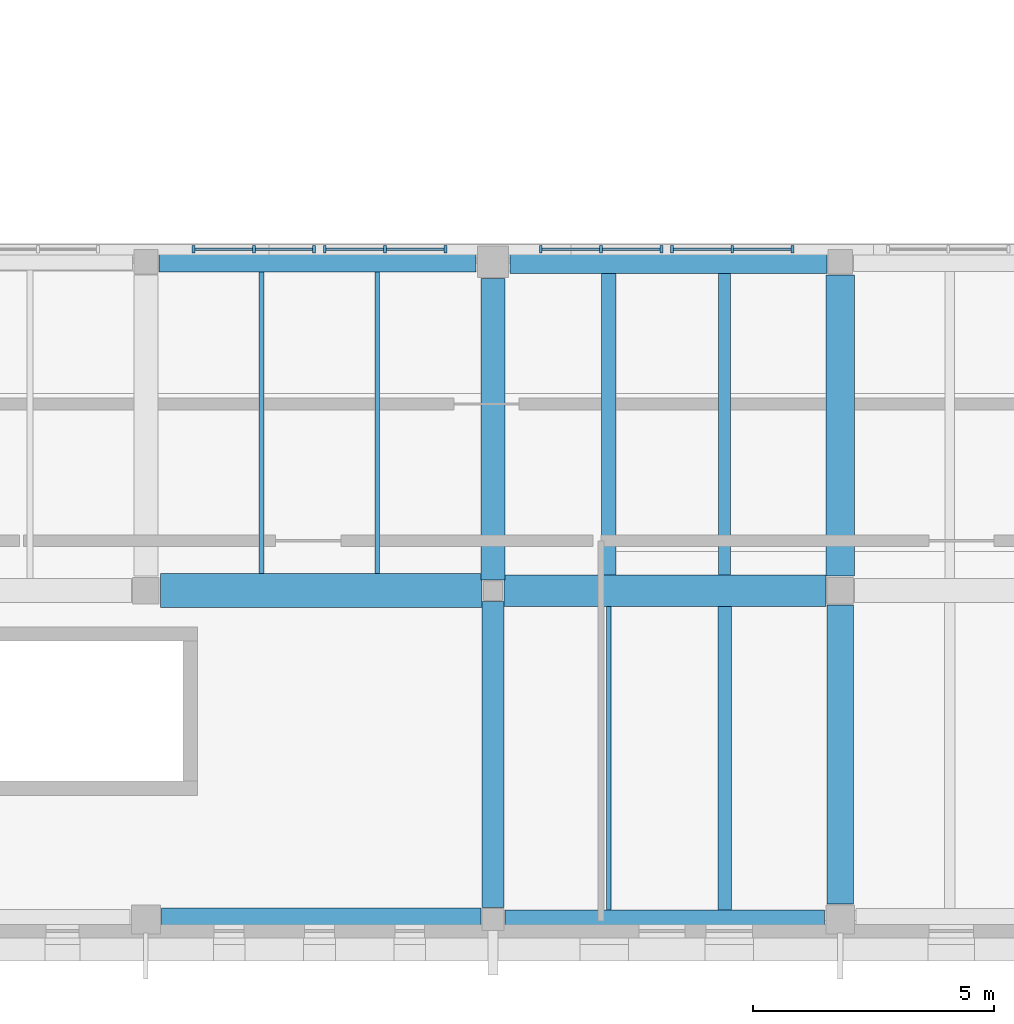
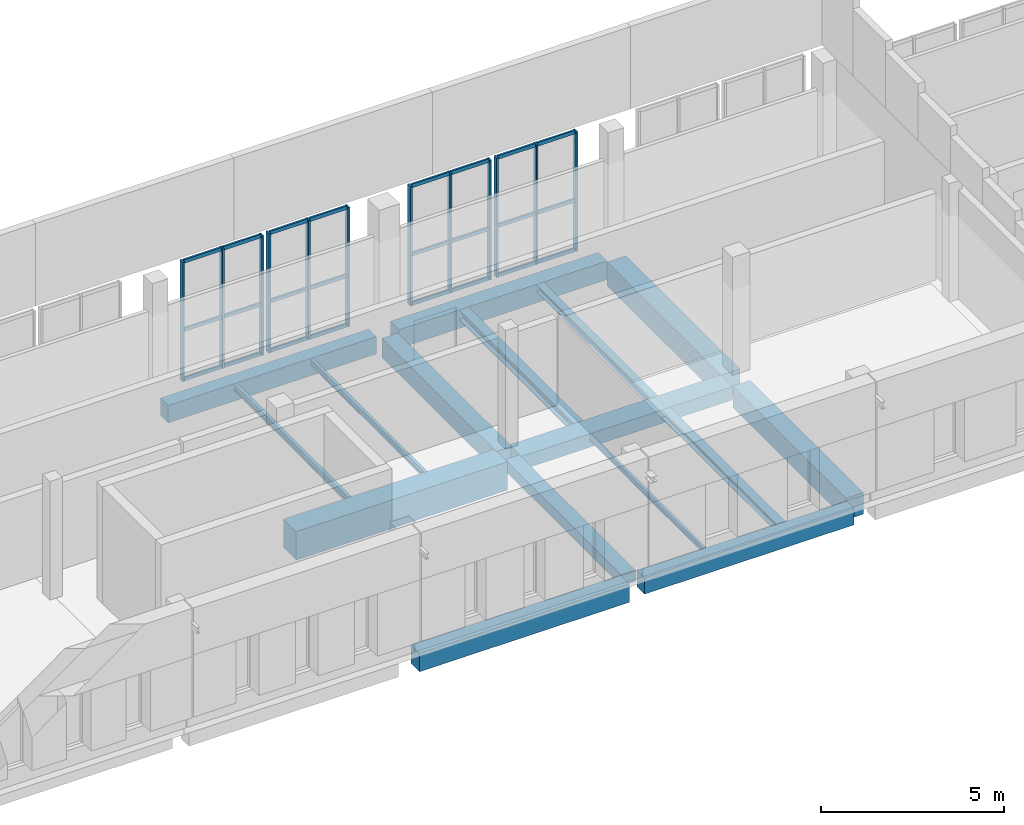
# One storey, part 16 of 76: 36 members, 16 beams, 4 elements without a shape of their own.
"""IFC4 building model written with IfcOpenShell, lengths in metres."""

from ifc_helpers import new_model, si_unit, direction, frame, origin, origin_2d, place, context, subcontext, project, spatial, rectangle, i_section, extrude, material, layer, layer_set, material_profile, profile_set, type_object, element, aggregate, save


model = new_model("IFC4")

# Units and contexts
model_context = context("Model", 3, precision=1e-05, world=origin(), true_north=direction((0.0, 1.0)))
body_context = subcontext(model_context, "Body", "Model", "MODEL_VIEW")
ifc_project = project(units=[si_unit("LENGTHUNIT", "METRE"), si_unit("AREAUNIT", "SQUARE_METRE"), si_unit("VOLUMEUNIT", "CUBIC_METRE"), si_unit("PLANEANGLEUNIT", "RADIAN"), si_unit("MASSUNIT", "GRAM", prefix="KILO")], contexts=[model_context])

# Site, building, storey
site_placement = place(None, origin())
site = spatial("IfcSite", under=ifc_project, at=site_placement, CompositionType="ELEMENT")
building_placement = place(site_placement, origin())
building = spatial("IfcBuilding", under=site, at=building_placement, Name="Vardoun Plaza Health Centre", CompositionType="ELEMENT")
storey_placement = place(building_placement, frame((0.0, 0.0, 4.5)))
storey = spatial("IfcBuildingStorey", under=building, at=storey_placement, Name="L01", CompositionType="ELEMENT", Elevation=4.5)

# Beams
ifc_material_1 = material(Name="Concrete C35/45", Category="concrete")
ifc_material_profile_1 = material_profile(ifc_material_1, rectangle(XDim=0.39990234375, YDim=0.550048828125, at=origin_2d()), Name="RC-BM 400x550")
ifc_profile_set_1 = profile_set([ifc_material_profile_1], Name="Concrete C35/45")
beam_type_1 = type_object("IfcBeamType", Name="B-09", PredefinedType="SPANDREL", material=ifc_profile_set_1)
beam_1_placement = place(storey_placement, frame((91.330078125, 4.8798828125, -0.590087890625), z_axis=(1.0, 0.0, 0.0), x_axis=(0.0, 1.0, 0.0)))
element("IfcBeam", 1, at=beam_1_placement, inside=storey, type_object=beam_type_1, Name="V4 L01 Beam B-V4-L01-X19", PredefinedType="SPANDREL", context=body_context, shape_type="SweptSolid", body=[
    extrude(rectangle(XDim=0.39990234375, YDim=0.550048828125, at=origin_2d()), origin(), (0.0, 0.0, 1.0), 6.625),
])
ifc_material_2 = material(Name="Concrete C35/45", Category="concrete")
ifc_material_profile_2 = material_profile(ifc_material_2, rectangle(XDim=0.419921875, YDim=0.580078125, at=origin_2d()), Name="RC-BM 420x580")
ifc_profile_set_2 = profile_set([ifc_material_profile_2], Name="Concrete C35/45")
beam_type_2 = type_object("IfcBeamType", Name="B-10", PredefinedType="SPANDREL", material=ifc_profile_set_2)
beam_2_placement = place(storey_placement, frame((84.155029296875, 18.52001953125, -0.60498046875), z_axis=(1.0, 0.0, 0.0), x_axis=(0.0, 1.0, 0.0)))
element("IfcBeam", 2, at=beam_2_placement, inside=storey, type_object=beam_type_2, Name="V4 L01 Beam B-V4-L01-X18", PredefinedType="SPANDREL", context=body_context, shape_type="SweptSolid", body=[
    extrude(rectangle(XDim=0.419921875, YDim=0.580078125, at=origin_2d()), origin(), (0.0, 0.0, 1.0), 6.574951171875),
])
ifc_material_3 = material(Name="Concrete C35/45", Category="concrete")
ifc_material_profile_3 = material_profile(ifc_material_3, rectangle(XDim=0.449951171875, YDim=0.3798828125, at=origin_2d()), Name="RC-BM 450x380")
ifc_profile_set_3 = profile_set([ifc_material_profile_3], Name="Concrete C35/45")
beam_type_3 = type_object("IfcBeamType", Name="B-01", PredefinedType="BEAM", material=ifc_profile_set_3)
beam_3_placement = place(storey_placement, frame((91.080078125, 5.1298828125, -0.5048828125), z_axis=(0.0, 1.0, 0.0), x_axis=(-1.0, 0.0, 0.0)))
element("IfcBeam", 3, at=beam_3_placement, inside=storey, type_object=beam_type_3, Name="V4 L01 Beam B-V4-L01-Y35", PredefinedType="BEAM", context=body_context, shape_type="SweptSolid", body=[
    extrude(rectangle(XDim=0.449951171875, YDim=0.3798828125, at=origin_2d()), origin(), (0.0, 0.0, 1.0), 6.34521484375),
])
ifc_material_4 = material(Name="Concrete C35/45", Category="concrete")
ifc_material_profile_4 = material_profile(ifc_material_4, rectangle(XDim=0.47998046875, YDim=0.6201171875, at=origin_2d()), Name="RC-BM 480x620")
ifc_profile_set_4 = profile_set([ifc_material_profile_4], Name="Concrete C35/45")
beam_type_4 = type_object("IfcBeamType", Name="B-12", PredefinedType="SPANDREL", material=ifc_profile_set_4)
beam_4_placement = place(storey_placement, frame((84.205078125, 4.8798828125, -0.625), z_axis=(1.0, 0.0, 0.0), x_axis=(0.0, 1.0, 0.0)))
element("IfcBeam", 4, at=beam_4_placement, inside=storey, type_object=beam_type_4, Name="V4 L01 Beam B-V4-L01-X16", PredefinedType="SPANDREL", context=body_context, shape_type="SweptSolid", body=[
    extrude(rectangle(XDim=0.47998046875, YDim=0.6201171875, at=origin_2d()), origin(), (0.0, 0.0, 1.0), 6.625),
])
beam_5_placement = place(storey_placement, frame((91.429931640625, 18.52001953125, -0.625), z_axis=(1.0, 0.0, 0.0), x_axis=(0.0, 1.0, 0.0)))
element("IfcBeam", 5, at=beam_5_placement, inside=storey, type_object=beam_type_4, Name="V4 L01 Beam B-V4-L01-X21", PredefinedType="SPANDREL", context=body_context, shape_type="SweptSolid", body=[
    extrude(rectangle(XDim=0.47998046875, YDim=0.6201171875, at=origin_2d()), origin(), (0.0, 0.0, 1.0), 6.574951171875),
])
ifc_material_5 = material(Name="Concrete C40/50", Category="concrete")
ifc_material_profile_5 = material_profile(ifc_material_5, rectangle(XDim=0.5, YDim=0.64990234375, at=origin_2d()), Name="RC-BM 500x650")
ifc_profile_set_5 = profile_set([ifc_material_profile_5], Name="Concrete C40/50")
beam_type_5 = type_object("IfcBeamType", Name="B-13", PredefinedType="BEAM", material=ifc_profile_set_5)
beam_6_placement = place(storey_placement, frame((91.080078125, 11.925048828125, -0.639892578125), z_axis=(0.0, 1.0, 0.0), x_axis=(-1.0, 0.0, 0.0)))
element("IfcBeam", 6, at=beam_6_placement, inside=storey, type_object=beam_type_5, Name="V4 L01 Beam B-V4-L01-Y36", PredefinedType="BEAM", context=body_context, shape_type="SweptSolid", body=[
    extrude(rectangle(XDim=0.5, YDim=0.64990234375, at=origin_2d()), origin(), (0.0, 0.0, 1.0), 6.244873046875),
])
ifc_material_6 = material(Name="Concrete C40/50", Category="concrete")
ifc_material_profile_6 = material_profile(ifc_material_6, rectangle(XDim=0.550048828125, YDim=0.719970703125, at=origin_2d()), Name="RC-BM 550x720")
ifc_profile_set_6 = profile_set([ifc_material_profile_6], Name="Concrete C40/50")
beam_type_6 = type_object("IfcBeamType", Name="B-14", PredefinedType="BEAM", material=ifc_profile_set_6)
beam_7_placement = place(storey_placement, frame((98.280029296875, 5.205078125, -0.675048828125), z_axis=(0.0, 1.0, 0.0), x_axis=(-1.0, 0.0, 0.0)))
element("IfcBeam", 7, at=beam_7_placement, inside=storey, type_object=beam_type_6, Name="V4 L01 Beam B-V4-L01-Y37", PredefinedType="BEAM", context=body_context, shape_type="SweptSolid", body=[
    extrude(rectangle(XDim=0.550048828125, YDim=0.719970703125, at=origin_2d()), origin(), (0.0, 0.0, 1.0), 6.19482421875),
])
ifc_material_7 = material(Name="Concrete C40/50", Category="concrete")
ifc_material_profile_7 = material_profile(ifc_material_7, rectangle(XDim=0.60009765625, YDim=0.800048828125, at=origin_2d()), Name="RC-BM 600x800")
ifc_profile_set_7 = profile_set([ifc_material_profile_7], Name="Concrete C40/50")
beam_type_7 = type_object("IfcBeamType", Name="B-15", PredefinedType="JOIST", material=ifc_profile_set_7)
beam_8_placement = place(storey_placement, frame((98.280029296875, 12.0, -0.715087890625), z_axis=(0.0, 1.0, 0.0), x_axis=(-1.0, 0.0, 0.0)))
element("IfcBeam", 8, at=beam_8_placement, inside=storey, type_object=beam_type_7, Name="V4 L01 Beam B-V4-L01-Y38", PredefinedType="JOIST", context=body_context, shape_type="SweptSolid", body=[
    extrude(rectangle(XDim=0.60009765625, YDim=0.800048828125, at=origin_2d()), origin(), (0.0, 0.0, 1.0), 6.2451171875),
])
ifc_material_8 = material(Name="Concrete C35/45", Category="concrete")
ifc_material_profile_8 = material_profile(ifc_material_8, rectangle(XDim=0.64990234375, YDim=0.449951171875, at=origin_2d()), Name="RC-BM 650x450")
ifc_profile_set_8 = profile_set([ifc_material_profile_8], Name="Concrete C35/45")
beam_type_8 = type_object("IfcBeamType", Name="B-05", PredefinedType="BEAM", material=ifc_profile_set_8)
beam_9_placement = place(storey_placement, frame((91.304931640625, 11.699951171875, -0.5400390625), z_axis=(1.0, 0.0, 0.0), x_axis=(0.0, 1.0, 0.0)))
element("IfcBeam", 9, at=beam_9_placement, inside=storey, type_object=beam_type_8, Name="V4 L01 Beam B-V4-L01-X20", PredefinedType="BEAM", context=body_context, shape_type="SweptSolid", body=[
    extrude(rectangle(XDim=0.64990234375, YDim=0.449951171875, at=origin_2d()), origin(), (0.0, 0.0, 1.0), 6.675048828125),
])
ifc_material_9 = material(Name="Concrete C40/50", Category="concrete")
ifc_material_profile_9 = material_profile(ifc_material_9, rectangle(XDim=0.699951171875, YDim=0.949951171875, at=origin_2d()), Name="RC-BM 700x950")
ifc_profile_set_9 = profile_set([ifc_material_profile_9], Name="Concrete C40/50")
beam_type_9 = type_object("IfcBeamType", Name="B-16", PredefinedType="LINTEL", material=ifc_profile_set_9)
beam_10_placement = place(storey_placement, frame((84.179931640625, 11.699951171875, -0.7900390625), z_axis=(1.0, 0.0, 0.0), x_axis=(0.0, 1.0, 0.0)))
element("IfcBeam", 10, at=beam_10_placement, inside=storey, type_object=beam_type_9, Name="V4 L01 Beam B-V4-L01-X17", PredefinedType="LINTEL", context=body_context, shape_type="SweptSolid", body=[
    extrude(rectangle(XDim=0.699951171875, YDim=0.949951171875, at=origin_2d()), origin(), (0.0, 0.0, 1.0), 6.675048828125),
])
ifc_material_10 = material(Name="Steel S355J2", Category="steel")
ifc_material_profile_10 = material_profile(ifc_material_10, i_section(OverallWidth=0.239990234375, OverallDepth=0.22998046875, WebThickness=0.007568359375, FlangeThickness=0.011962890625, FilletRadius=0.02099609375, at=origin_2d()), Name="HEA 240")
ifc_profile_set_10 = profile_set([ifc_material_profile_10], Name="Steel S355J2")
beam_type_10 = type_object("IfcBeamType", Name="SB-07", PredefinedType="BEAM", material=ifc_profile_set_10)
beam_11_placement = place(storey_placement, frame((95.880126953125, 12.02490234375, -0.429931640625), z_axis=(0.0, 1.0, 0.0), x_axis=(-1.0, 0.0, 0.0)))
element("IfcBeam", 11, at=beam_11_placement, inside=storey, type_object=beam_type_10, Name="V4 L01 Secondary Floor Beam SJ-V4-L01-20", PredefinedType="BEAM", context=body_context, shape_type="SweptSolid", body=[
    extrude(i_section(OverallWidth=0.239990234375, OverallDepth=0.22998046875, WebThickness=0.007568359375, FlangeThickness=0.011962890625, FilletRadius=0.02099609375, at=origin_2d()), origin(), (0.0, 0.0, 1.0), 6.255126953125),
])
ifc_material_11 = material(Name="Steel S355J2", Category="steel")
ifc_material_profile_11 = material_profile(ifc_material_11, i_section(OverallWidth=0.280029296875, OverallDepth=0.27001953125, WebThickness=0.008056640625, FlangeThickness=0.012939453125, FilletRadius=0.02392578125, at=origin_2d()), Name="HEA 280")
ifc_profile_set_11 = profile_set([ifc_material_profile_11], Name="Steel S355J2")
beam_type_11 = type_object("IfcBeamType", Name="SB-06", PredefinedType="BEAM", material=ifc_profile_set_11)
beam_12_placement = place(storey_placement, frame((95.880126953125, 5.080078125, -0.449951171875), z_axis=(0.0, 1.0, 0.0), x_axis=(-1.0, 0.0, 0.0)))
element("IfcBeam", 12, at=beam_12_placement, inside=storey, type_object=beam_type_11, Name="V4 L01 Secondary Floor Beam SJ-V4-L01-19", PredefinedType="BEAM", context=body_context, shape_type="SweptSolid", body=[
    extrude(i_section(OverallWidth=0.280029296875, OverallDepth=0.27001953125, WebThickness=0.008056640625, FlangeThickness=0.012939453125, FilletRadius=0.02392578125, at=origin_2d()), origin(), (0.0, 0.0, 1.0), 6.294921875),
])
ifc_material_12 = material(Name="Steel S355J2", Category="steel")
ifc_material_profile_12 = material_profile(ifc_material_12, i_section(OverallWidth=0.300048828125, OverallDepth=0.330078125, WebThickness=0.009521484375, FlangeThickness=0.0166015625, FilletRadius=0.027099609375, at=origin_2d()), Name="HEA 340")
ifc_profile_set_12 = profile_set([ifc_material_profile_12], Name="Steel S355J2")
beam_type_12 = type_object("IfcBeamType", Name="SB-04", PredefinedType="BEAM", material=ifc_profile_set_12)
beam_13_placement = place(storey_placement, frame((93.479736328125, 12.02490234375, -0.47998046875), z_axis=(0.0, 1.0, 0.0), x_axis=(-1.0, 0.0, 0.0)))
element("IfcBeam", 13, at=beam_13_placement, inside=storey, type_object=beam_type_12, Name="V4 L01 Secondary Floor Beam SJ-V4-L01-18", PredefinedType="BEAM", context=body_context, shape_type="SweptSolid", body=[
    extrude(i_section(OverallWidth=0.300048828125, OverallDepth=0.330078125, WebThickness=0.009521484375, FlangeThickness=0.0166015625, FilletRadius=0.027099609375, at=origin_2d()), origin(), (0.0, 0.0, 1.0), 6.255126953125),
])
ifc_material_13 = material(Name="Steel S355J2", Category="steel")
ifc_material_profile_13 = material_profile(ifc_material_13, i_section(OverallWidth=0.091064453125, OverallDepth=0.179931640625, WebThickness=0.00537109375, FlangeThickness=0.008056640625, FilletRadius=0.009033203125, at=origin_2d()), Name="IPE 180")
ifc_profile_set_13 = profile_set([ifc_material_profile_13], Name="Steel S355J2")
beam_type_13 = type_object("IfcBeamType", Name="SB-20", PredefinedType="SPANDREL", material=ifc_profile_set_13)
beam_14_placement = place(storey_placement, frame((93.479736328125, 5.080078125, -0.405029296875), z_axis=(0.0, 1.0, 0.0), x_axis=(-1.0, 0.0, 0.0)))
element("IfcBeam", 14, at=beam_14_placement, inside=storey, type_object=beam_type_13, Name="V4 L01 Secondary Floor Beam SJ-V4-L01-17", PredefinedType="SPANDREL", context=body_context, shape_type="SweptSolid", body=[
    extrude(i_section(OverallWidth=0.091064453125, OverallDepth=0.179931640625, WebThickness=0.00537109375, FlangeThickness=0.008056640625, FilletRadius=0.009033203125, at=origin_2d()), origin(), (0.0, 0.0, 1.0), 6.294921875),
])
ifc_material_14 = material(Name="Steel S355J2", Category="steel")
ifc_material_profile_14 = material_profile(ifc_material_14, i_section(OverallWidth=0.10009765625, OverallDepth=0.199951171875, WebThickness=0.005615234375, FlangeThickness=0.008544921875, FilletRadius=0.011962890625, at=origin_2d()), Name="IPE 200")
ifc_profile_set_14 = profile_set([ifc_material_profile_14], Name="Steel S355J2")
beam_type_14 = type_object("IfcBeamType", Name="SB-19", PredefinedType="SPANDREL", material=ifc_profile_set_14)
beam_15_placement = place(storey_placement, frame((88.68017578125, 12.050048828125, -0.4150390625), z_axis=(0.0, 1.0, 0.0), x_axis=(-1.0, 0.0, 0.0)))
element("IfcBeam", 15, at=beam_15_placement, inside=storey, type_object=beam_type_14, Name="V4 L01 Secondary Floor Beam SJ-V4-L01-16", PredefinedType="SPANDREL", context=body_context, shape_type="SweptSolid", body=[
    extrude(i_section(OverallWidth=0.10009765625, OverallDepth=0.199951171875, WebThickness=0.005615234375, FlangeThickness=0.008544921875, FilletRadius=0.011962890625, at=origin_2d()), origin(), (0.0, 0.0, 1.0), 6.260009765625),
])
ifc_material_15 = material(Name="Steel S355J2", Category="steel")
ifc_material_profile_15 = material_profile(ifc_material_15, i_section(OverallWidth=0.110107421875, OverallDepth=0.219970703125, WebThickness=0.005859375, FlangeThickness=0.00927734375, FilletRadius=0.011962890625, at=origin_2d()), Name="IPE 220")
ifc_profile_set_15 = profile_set([ifc_material_profile_15], Name="Steel S355J2")
beam_type_15 = type_object("IfcBeamType", Name="SB-18", PredefinedType="JOIST", material=ifc_profile_set_15)
beam_16_placement = place(storey_placement, frame((86.27978515625, 12.050048828125, -0.425048828125), z_axis=(0.0, 1.0, 0.0), x_axis=(-1.0, 0.0, 0.0)))
element("IfcBeam", 16, at=beam_16_placement, inside=storey, type_object=beam_type_15, Name="V4 L01 Secondary Floor Beam SJ-V4-L01-15", PredefinedType="JOIST", context=body_context, shape_type="SweptSolid", body=[
    extrude(i_section(OverallWidth=0.110107421875, OverallDepth=0.219970703125, WebThickness=0.005859375, FlangeThickness=0.00927734375, FilletRadius=0.011962890625, at=origin_2d()), origin(), (0.0, 0.0, 1.0), 6.260009765625),
])

# Curtain wall, members
ifc_material_16 = material(Name="Aluminium Alloy EN AW-6063-T6 and Low-E Glass", Category="aluminium")
ifc_layer = layer(ifc_material_16, 0.14990234375)
ifc_layer_set = layer_set([ifc_layer], Name="Aluminium Alloy EN AW-6063-T6 and Low-E Glass")
curtain_wall_type = type_object("IfcCurtainWallType", Name="CW-03", PredefinedType="NOTDEFINED", material=ifc_layer_set)
curtain_wall_1_placement = place(storey_placement, origin())
curtain_wall_1 = element("IfcCurtainWall", 17, at=curtain_wall_1_placement, inside=storey, type_object=curtain_wall_type, Name="Curtain Wall CW-V4-127", PredefinedType="NOTDEFINED")
ifc_material_17 = material(Name="Aluminium Alloy EN AW-6063-T6", Category="aluminium")
ifc_material_profile_16 = material_profile(ifc_material_17, rectangle(XDim=0.159912109375, YDim=0.06005859375, at=origin_2d()), Name="CWM 60x160")
ifc_profile_set_16 = profile_set([ifc_material_profile_16], Name="Aluminium Alloy EN AW-6063-T6")
member_type_1 = type_object("IfcMemberType", Name="CW-M1", PredefinedType="MULLION", material=ifc_profile_set_16)
member_1_placement = place(storey_placement, frame((84.8701171875, 18.780029296875, 0.0), z_axis=(0.0, 0.0, 1.0), x_axis=(0.0, 1.0, 0.0)))
member_1 = element("IfcMember", 18, at=member_1_placement, type_object=member_type_1, Name="CW-V4-127 mullion 1", PredefinedType="MULLION", context=body_context, shape_type="SweptSolid", body=[
    extrude(rectangle(XDim=0.159912109375, YDim=0.06005859375, at=origin_2d()), origin(), (0.0, 0.0, 1.0), 3.9951171875),
])
member_2_placement = place(storey_placement, frame((86.1201171875, 18.780029296875, 0.0), z_axis=(0.0, 0.0, 1.0), x_axis=(0.0, 1.0, 0.0)))
member_2 = element("IfcMember", 19, at=member_2_placement, type_object=member_type_1, Name="CW-V4-127 mullion 2", PredefinedType="MULLION", context=body_context, shape_type="SweptSolid", body=[
    extrude(rectangle(XDim=0.159912109375, YDim=0.06005859375, at=origin_2d()), origin(), (0.0, 0.0, 1.0), 3.9951171875),
])
member_3_placement = place(storey_placement, frame((87.3701171875, 18.780029296875, 0.0), z_axis=(0.0, 0.0, 1.0), x_axis=(0.0, 1.0, 0.0)))
member_3 = element("IfcMember", 20, at=member_3_placement, type_object=member_type_1, Name="CW-V4-127 mullion 3", PredefinedType="MULLION", context=body_context, shape_type="SweptSolid", body=[
    extrude(rectangle(XDim=0.159912109375, YDim=0.06005859375, at=origin_2d()), origin(), (0.0, 0.0, 1.0), 3.9951171875),
])

curtain_wall_2_placement = place(storey_placement, origin())
curtain_wall_2 = element("IfcCurtainWall", 21, at=curtain_wall_2_placement, inside=storey, type_object=curtain_wall_type, Name="Curtain Wall CW-V4-128", PredefinedType="NOTDEFINED")
member_4_placement = place(storey_placement, frame((87.590087890625, 18.780029296875, 0.0), z_axis=(0.0, 0.0, 1.0), x_axis=(0.0, 1.0, 0.0)))
member_4 = element("IfcMember", 22, at=member_4_placement, type_object=member_type_1, Name="CW-V4-128 mullion 1", PredefinedType="MULLION", context=body_context, shape_type="SweptSolid", body=[
    extrude(rectangle(XDim=0.159912109375, YDim=0.06005859375, at=origin_2d()), origin(), (0.0, 0.0, 1.0), 3.9951171875),
])
member_5_placement = place(storey_placement, frame((88.840087890625, 18.780029296875, 0.0), z_axis=(0.0, 0.0, 1.0), x_axis=(0.0, 1.0, 0.0)))
member_5 = element("IfcMember", 23, at=member_5_placement, type_object=member_type_1, Name="CW-V4-128 mullion 2", PredefinedType="MULLION", context=body_context, shape_type="SweptSolid", body=[
    extrude(rectangle(XDim=0.159912109375, YDim=0.06005859375, at=origin_2d()), origin(), (0.0, 0.0, 1.0), 3.9951171875),
])
member_6_placement = place(storey_placement, frame((90.090087890625, 18.780029296875, 0.0), z_axis=(0.0, 0.0, 1.0), x_axis=(0.0, 1.0, 0.0)))
member_6 = element("IfcMember", 24, at=member_6_placement, type_object=member_type_1, Name="CW-V4-128 mullion 3", PredefinedType="MULLION", context=body_context, shape_type="SweptSolid", body=[
    extrude(rectangle(XDim=0.159912109375, YDim=0.06005859375, at=origin_2d()), origin(), (0.0, 0.0, 1.0), 3.9951171875),
])

curtain_wall_3_placement = place(storey_placement, origin())
curtain_wall_3 = element("IfcCurtainWall", 25, at=curtain_wall_3_placement, inside=storey, type_object=curtain_wall_type, Name="Curtain Wall CW-V4-129", PredefinedType="NOTDEFINED")
member_7_placement = place(storey_placement, frame((92.070068359375, 18.780029296875, 0.0), z_axis=(0.0, 0.0, 1.0), x_axis=(0.0, 1.0, 0.0)))
member_7 = element("IfcMember", 26, at=member_7_placement, type_object=member_type_1, Name="CW-V4-129 mullion 1", PredefinedType="MULLION", context=body_context, shape_type="SweptSolid", body=[
    extrude(rectangle(XDim=0.159912109375, YDim=0.06005859375, at=origin_2d()), origin(), (0.0, 0.0, 1.0), 3.9951171875),
])
member_8_placement = place(storey_placement, frame((93.320068359375, 18.780029296875, 0.0), z_axis=(0.0, 0.0, 1.0), x_axis=(0.0, 1.0, 0.0)))
member_8 = element("IfcMember", 27, at=member_8_placement, type_object=member_type_1, Name="CW-V4-129 mullion 2", PredefinedType="MULLION", context=body_context, shape_type="SweptSolid", body=[
    extrude(rectangle(XDim=0.159912109375, YDim=0.06005859375, at=origin_2d()), origin(), (0.0, 0.0, 1.0), 3.9951171875),
])
member_9_placement = place(storey_placement, frame((94.570068359375, 18.780029296875, 0.0), z_axis=(0.0, 0.0, 1.0), x_axis=(0.0, 1.0, 0.0)))
member_9 = element("IfcMember", 28, at=member_9_placement, type_object=member_type_1, Name="CW-V4-129 mullion 3", PredefinedType="MULLION", context=body_context, shape_type="SweptSolid", body=[
    extrude(rectangle(XDim=0.159912109375, YDim=0.06005859375, at=origin_2d()), origin(), (0.0, 0.0, 1.0), 3.9951171875),
])

curtain_wall_4_placement = place(storey_placement, origin())
curtain_wall_4 = element("IfcCurtainWall", 29, at=curtain_wall_4_placement, inside=storey, type_object=curtain_wall_type, Name="Curtain Wall CW-V4-130", PredefinedType="NOTDEFINED")
member_10_placement = place(storey_placement, frame((94.7900390625, 18.780029296875, 0.0), z_axis=(0.0, 0.0, 1.0), x_axis=(0.0, 1.0, 0.0)))
member_10 = element("IfcMember", 30, at=member_10_placement, type_object=member_type_1, Name="CW-V4-130 mullion 1", PredefinedType="MULLION", context=body_context, shape_type="SweptSolid", body=[
    extrude(rectangle(XDim=0.159912109375, YDim=0.06005859375, at=origin_2d()), origin(), (0.0, 0.0, 1.0), 3.9951171875),
])
member_11_placement = place(storey_placement, frame((96.0400390625, 18.780029296875, 0.0), z_axis=(0.0, 0.0, 1.0), x_axis=(0.0, 1.0, 0.0)))
member_11 = element("IfcMember", 31, at=member_11_placement, type_object=member_type_1, Name="CW-V4-130 mullion 2", PredefinedType="MULLION", context=body_context, shape_type="SweptSolid", body=[
    extrude(rectangle(XDim=0.159912109375, YDim=0.06005859375, at=origin_2d()), origin(), (0.0, 0.0, 1.0), 3.9951171875),
])
member_12_placement = place(storey_placement, frame((97.2900390625, 18.780029296875, 0.0), z_axis=(0.0, 0.0, 1.0), x_axis=(0.0, 1.0, 0.0)))
member_12 = element("IfcMember", 32, at=member_12_placement, type_object=member_type_1, Name="CW-V4-130 mullion 3", PredefinedType="MULLION", context=body_context, shape_type="SweptSolid", body=[
    extrude(rectangle(XDim=0.159912109375, YDim=0.06005859375, at=origin_2d()), origin(), (0.0, 0.0, 1.0), 3.9951171875),
])

# Member
ifc_material_18 = material(Name="Aluminium Alloy EN AW-6063-T6", Category="aluminium")
ifc_material_profile_17 = material_profile(ifc_material_18, rectangle(XDim=0.06005859375, YDim=0.1201171875, at=origin_2d()), Name="CWT 60x120")
ifc_profile_set_17 = profile_set([ifc_material_profile_17], Name="Aluminium Alloy EN AW-6063-T6")
member_type_2 = type_object("IfcMemberType", Name="CW-T1", PredefinedType="USERDEFINED", material=ifc_profile_set_17)
member_13_placement = place(storey_placement, frame((84.900146484375, 18.780029296875, 0.030029296875), z_axis=(1.0, 0.0, 0.0), x_axis=(0.0, 1.0, 0.0)))
member_13 = element("IfcMember", 33, at=member_13_placement, type_object=member_type_2, Name="CW-V4-127 transom 1.1", ObjectType="TRANSOM", PredefinedType="USERDEFINED", context=body_context, shape_type="SweptSolid", body=[
    extrude(rectangle(XDim=0.06005859375, YDim=0.1201171875, at=origin_2d()), origin(), (0.0, 0.0, 1.0), 1.18994140625),
])

member_14_placement = place(storey_placement, frame((84.900146484375, 18.780029296875, 1.677978515625), z_axis=(1.0, 0.0, 0.0), x_axis=(0.0, 1.0, 0.0)))
member_14 = element("IfcMember", 34, at=member_14_placement, type_object=member_type_2, Name="CW-V4-127 transom 1.2", ObjectType="TRANSOM", PredefinedType="USERDEFINED", context=body_context, shape_type="SweptSolid", body=[
    extrude(rectangle(XDim=0.06005859375, YDim=0.1201171875, at=origin_2d()), origin(), (0.0, 0.0, 1.0), 1.18994140625),
])

member_15_placement = place(storey_placement, frame((84.900146484375, 18.780029296875, 3.965087890625), z_axis=(1.0, 0.0, 0.0), x_axis=(0.0, 1.0, 0.0)))
member_15 = element("IfcMember", 35, at=member_15_placement, type_object=member_type_2, Name="CW-V4-127 transom 1.3", ObjectType="TRANSOM", PredefinedType="USERDEFINED", context=body_context, shape_type="SweptSolid", body=[
    extrude(rectangle(XDim=0.06005859375, YDim=0.1201171875, at=origin_2d()), origin(), (0.0, 0.0, 1.0), 1.18994140625),
])

member_16_placement = place(storey_placement, frame((86.150146484375, 18.780029296875, 0.030029296875), z_axis=(1.0, 0.0, 0.0), x_axis=(0.0, 1.0, 0.0)))
member_16 = element("IfcMember", 36, at=member_16_placement, type_object=member_type_2, Name="CW-V4-127 transom 2.1", ObjectType="TRANSOM", PredefinedType="USERDEFINED", context=body_context, shape_type="SweptSolid", body=[
    extrude(rectangle(XDim=0.06005859375, YDim=0.1201171875, at=origin_2d()), origin(), (0.0, 0.0, 1.0), 1.18994140625),
])

member_17_placement = place(storey_placement, frame((86.150146484375, 18.780029296875, 1.677978515625), z_axis=(1.0, 0.0, 0.0), x_axis=(0.0, 1.0, 0.0)))
member_17 = element("IfcMember", 37, at=member_17_placement, type_object=member_type_2, Name="CW-V4-127 transom 2.2", ObjectType="TRANSOM", PredefinedType="USERDEFINED", context=body_context, shape_type="SweptSolid", body=[
    extrude(rectangle(XDim=0.06005859375, YDim=0.1201171875, at=origin_2d()), origin(), (0.0, 0.0, 1.0), 1.18994140625),
])

member_18_placement = place(storey_placement, frame((86.150146484375, 18.780029296875, 3.965087890625), z_axis=(1.0, 0.0, 0.0), x_axis=(0.0, 1.0, 0.0)))
member_18 = element("IfcMember", 38, at=member_18_placement, type_object=member_type_2, Name="CW-V4-127 transom 2.3", ObjectType="TRANSOM", PredefinedType="USERDEFINED", context=body_context, shape_type="SweptSolid", body=[
    extrude(rectangle(XDim=0.06005859375, YDim=0.1201171875, at=origin_2d()), origin(), (0.0, 0.0, 1.0), 1.18994140625),
])

aggregate(curtain_wall_1, [member_1, member_2, member_3, member_13, member_14, member_15, member_16, member_17, member_18])

member_19_placement = place(storey_placement, frame((87.6201171875, 18.780029296875, 0.030029296875), z_axis=(1.0, 0.0, 0.0), x_axis=(0.0, 1.0, 0.0)))
member_19 = element("IfcMember", 39, at=member_19_placement, type_object=member_type_2, Name="CW-V4-128 transom 1.1", ObjectType="TRANSOM", PredefinedType="USERDEFINED", context=body_context, shape_type="SweptSolid", body=[
    extrude(rectangle(XDim=0.06005859375, YDim=0.1201171875, at=origin_2d()), origin(), (0.0, 0.0, 1.0), 1.18994140625),
])

member_20_placement = place(storey_placement, frame((87.6201171875, 18.780029296875, 1.677978515625), z_axis=(1.0, 0.0, 0.0), x_axis=(0.0, 1.0, 0.0)))
member_20 = element("IfcMember", 40, at=member_20_placement, type_object=member_type_2, Name="CW-V4-128 transom 1.2", ObjectType="TRANSOM", PredefinedType="USERDEFINED", context=body_context, shape_type="SweptSolid", body=[
    extrude(rectangle(XDim=0.06005859375, YDim=0.1201171875, at=origin_2d()), origin(), (0.0, 0.0, 1.0), 1.18994140625),
])

member_21_placement = place(storey_placement, frame((87.6201171875, 18.780029296875, 3.965087890625), z_axis=(1.0, 0.0, 0.0), x_axis=(0.0, 1.0, 0.0)))
member_21 = element("IfcMember", 41, at=member_21_placement, type_object=member_type_2, Name="CW-V4-128 transom 1.3", ObjectType="TRANSOM", PredefinedType="USERDEFINED", context=body_context, shape_type="SweptSolid", body=[
    extrude(rectangle(XDim=0.06005859375, YDim=0.1201171875, at=origin_2d()), origin(), (0.0, 0.0, 1.0), 1.18994140625),
])

member_22_placement = place(storey_placement, frame((88.8701171875, 18.780029296875, 0.030029296875), z_axis=(1.0, 0.0, 0.0), x_axis=(0.0, 1.0, 0.0)))
member_22 = element("IfcMember", 42, at=member_22_placement, type_object=member_type_2, Name="CW-V4-128 transom 2.1", ObjectType="TRANSOM", PredefinedType="USERDEFINED", context=body_context, shape_type="SweptSolid", body=[
    extrude(rectangle(XDim=0.06005859375, YDim=0.1201171875, at=origin_2d()), origin(), (0.0, 0.0, 1.0), 1.18994140625),
])

member_23_placement = place(storey_placement, frame((88.8701171875, 18.780029296875, 1.677978515625), z_axis=(1.0, 0.0, 0.0), x_axis=(0.0, 1.0, 0.0)))
member_23 = element("IfcMember", 43, at=member_23_placement, type_object=member_type_2, Name="CW-V4-128 transom 2.2", ObjectType="TRANSOM", PredefinedType="USERDEFINED", context=body_context, shape_type="SweptSolid", body=[
    extrude(rectangle(XDim=0.06005859375, YDim=0.1201171875, at=origin_2d()), origin(), (0.0, 0.0, 1.0), 1.18994140625),
])

member_24_placement = place(storey_placement, frame((88.8701171875, 18.780029296875, 3.965087890625), z_axis=(1.0, 0.0, 0.0), x_axis=(0.0, 1.0, 0.0)))
member_24 = element("IfcMember", 44, at=member_24_placement, type_object=member_type_2, Name="CW-V4-128 transom 2.3", ObjectType="TRANSOM", PredefinedType="USERDEFINED", context=body_context, shape_type="SweptSolid", body=[
    extrude(rectangle(XDim=0.06005859375, YDim=0.1201171875, at=origin_2d()), origin(), (0.0, 0.0, 1.0), 1.18994140625),
])

aggregate(curtain_wall_2, [member_4, member_5, member_6, member_19, member_20, member_21, member_22, member_23, member_24])

member_25_placement = place(storey_placement, frame((92.10009765625, 18.780029296875, 0.030029296875), z_axis=(1.0, 0.0, 0.0), x_axis=(0.0, 1.0, 0.0)))
member_25 = element("IfcMember", 45, at=member_25_placement, type_object=member_type_2, Name="CW-V4-129 transom 1.1", ObjectType="TRANSOM", PredefinedType="USERDEFINED", context=body_context, shape_type="SweptSolid", body=[
    extrude(rectangle(XDim=0.06005859375, YDim=0.1201171875, at=origin_2d()), origin(), (0.0, 0.0, 1.0), 1.18994140625),
])

member_26_placement = place(storey_placement, frame((92.10009765625, 18.780029296875, 1.677978515625), z_axis=(1.0, 0.0, 0.0), x_axis=(0.0, 1.0, 0.0)))
member_26 = element("IfcMember", 46, at=member_26_placement, type_object=member_type_2, Name="CW-V4-129 transom 1.2", ObjectType="TRANSOM", PredefinedType="USERDEFINED", context=body_context, shape_type="SweptSolid", body=[
    extrude(rectangle(XDim=0.06005859375, YDim=0.1201171875, at=origin_2d()), origin(), (0.0, 0.0, 1.0), 1.18994140625),
])

member_27_placement = place(storey_placement, frame((92.10009765625, 18.780029296875, 3.965087890625), z_axis=(1.0, 0.0, 0.0), x_axis=(0.0, 1.0, 0.0)))
member_27 = element("IfcMember", 47, at=member_27_placement, type_object=member_type_2, Name="CW-V4-129 transom 1.3", ObjectType="TRANSOM", PredefinedType="USERDEFINED", context=body_context, shape_type="SweptSolid", body=[
    extrude(rectangle(XDim=0.06005859375, YDim=0.1201171875, at=origin_2d()), origin(), (0.0, 0.0, 1.0), 1.18994140625),
])

member_28_placement = place(storey_placement, frame((93.35009765625, 18.780029296875, 0.030029296875), z_axis=(1.0, 0.0, 0.0), x_axis=(0.0, 1.0, 0.0)))
member_28 = element("IfcMember", 48, at=member_28_placement, type_object=member_type_2, Name="CW-V4-129 transom 2.1", ObjectType="TRANSOM", PredefinedType="USERDEFINED", context=body_context, shape_type="SweptSolid", body=[
    extrude(rectangle(XDim=0.06005859375, YDim=0.1201171875, at=origin_2d()), origin(), (0.0, 0.0, 1.0), 1.18994140625),
])

member_29_placement = place(storey_placement, frame((93.35009765625, 18.780029296875, 1.677978515625), z_axis=(1.0, 0.0, 0.0), x_axis=(0.0, 1.0, 0.0)))
member_29 = element("IfcMember", 49, at=member_29_placement, type_object=member_type_2, Name="CW-V4-129 transom 2.2", ObjectType="TRANSOM", PredefinedType="USERDEFINED", context=body_context, shape_type="SweptSolid", body=[
    extrude(rectangle(XDim=0.06005859375, YDim=0.1201171875, at=origin_2d()), origin(), (0.0, 0.0, 1.0), 1.18994140625),
])

member_30_placement = place(storey_placement, frame((93.35009765625, 18.780029296875, 3.965087890625), z_axis=(1.0, 0.0, 0.0), x_axis=(0.0, 1.0, 0.0)))
member_30 = element("IfcMember", 50, at=member_30_placement, type_object=member_type_2, Name="CW-V4-129 transom 2.3", ObjectType="TRANSOM", PredefinedType="USERDEFINED", context=body_context, shape_type="SweptSolid", body=[
    extrude(rectangle(XDim=0.06005859375, YDim=0.1201171875, at=origin_2d()), origin(), (0.0, 0.0, 1.0), 1.18994140625),
])

aggregate(curtain_wall_3, [member_7, member_8, member_9, member_25, member_26, member_27, member_28, member_29, member_30])

member_31_placement = place(storey_placement, frame((94.820068359375, 18.780029296875, 0.030029296875), z_axis=(1.0, 0.0, 0.0), x_axis=(0.0, 1.0, 0.0)))
member_31 = element("IfcMember", 51, at=member_31_placement, type_object=member_type_2, Name="CW-V4-130 transom 1.1", ObjectType="TRANSOM", PredefinedType="USERDEFINED", context=body_context, shape_type="SweptSolid", body=[
    extrude(rectangle(XDim=0.06005859375, YDim=0.1201171875, at=origin_2d()), origin(), (0.0, 0.0, 1.0), 1.18994140625),
])

member_32_placement = place(storey_placement, frame((94.820068359375, 18.780029296875, 1.677978515625), z_axis=(1.0, 0.0, 0.0), x_axis=(0.0, 1.0, 0.0)))
member_32 = element("IfcMember", 52, at=member_32_placement, type_object=member_type_2, Name="CW-V4-130 transom 1.2", ObjectType="TRANSOM", PredefinedType="USERDEFINED", context=body_context, shape_type="SweptSolid", body=[
    extrude(rectangle(XDim=0.06005859375, YDim=0.1201171875, at=origin_2d()), origin(), (0.0, 0.0, 1.0), 1.18994140625),
])

member_33_placement = place(storey_placement, frame((94.820068359375, 18.780029296875, 3.965087890625), z_axis=(1.0, 0.0, 0.0), x_axis=(0.0, 1.0, 0.0)))
member_33 = element("IfcMember", 53, at=member_33_placement, type_object=member_type_2, Name="CW-V4-130 transom 1.3", ObjectType="TRANSOM", PredefinedType="USERDEFINED", context=body_context, shape_type="SweptSolid", body=[
    extrude(rectangle(XDim=0.06005859375, YDim=0.1201171875, at=origin_2d()), origin(), (0.0, 0.0, 1.0), 1.18994140625),
])

member_34_placement = place(storey_placement, frame((96.070068359375, 18.780029296875, 0.030029296875), z_axis=(1.0, 0.0, 0.0), x_axis=(0.0, 1.0, 0.0)))
member_34 = element("IfcMember", 54, at=member_34_placement, type_object=member_type_2, Name="CW-V4-130 transom 2.1", ObjectType="TRANSOM", PredefinedType="USERDEFINED", context=body_context, shape_type="SweptSolid", body=[
    extrude(rectangle(XDim=0.06005859375, YDim=0.1201171875, at=origin_2d()), origin(), (0.0, 0.0, 1.0), 1.18994140625),
])

member_35_placement = place(storey_placement, frame((96.070068359375, 18.780029296875, 1.677978515625), z_axis=(1.0, 0.0, 0.0), x_axis=(0.0, 1.0, 0.0)))
member_35 = element("IfcMember", 55, at=member_35_placement, type_object=member_type_2, Name="CW-V4-130 transom 2.2", ObjectType="TRANSOM", PredefinedType="USERDEFINED", context=body_context, shape_type="SweptSolid", body=[
    extrude(rectangle(XDim=0.06005859375, YDim=0.1201171875, at=origin_2d()), origin(), (0.0, 0.0, 1.0), 1.18994140625),
])

member_36_placement = place(storey_placement, frame((96.070068359375, 18.780029296875, 3.965087890625), z_axis=(1.0, 0.0, 0.0), x_axis=(0.0, 1.0, 0.0)))
member_36 = element("IfcMember", 56, at=member_36_placement, type_object=member_type_2, Name="CW-V4-130 transom 2.3", ObjectType="TRANSOM", PredefinedType="USERDEFINED", context=body_context, shape_type="SweptSolid", body=[
    extrude(rectangle(XDim=0.06005859375, YDim=0.1201171875, at=origin_2d()), origin(), (0.0, 0.0, 1.0), 1.18994140625),
])

aggregate(curtain_wall_4, [member_10, member_11, member_12, member_31, member_32, member_33, member_34, member_35, member_36])

save(model, "model.ifc")
